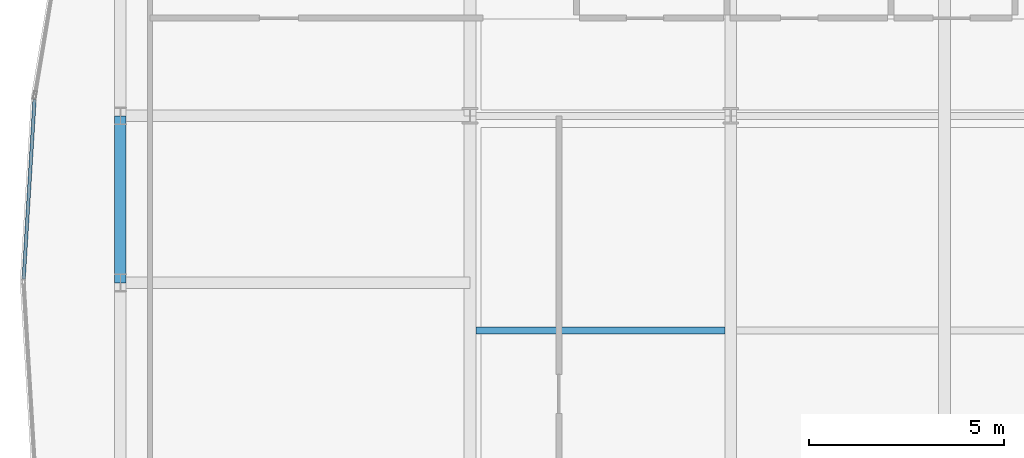
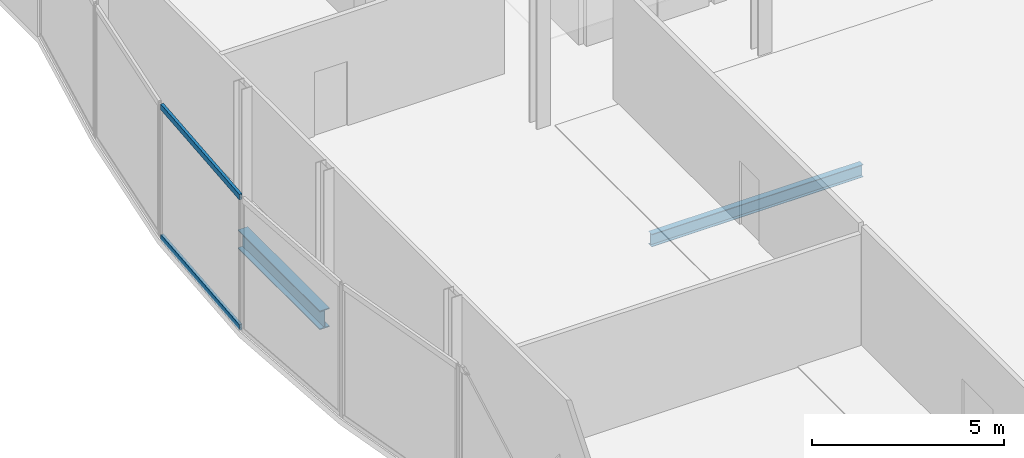
# One storey, part 11 of 28: 2 beams, 2 members, 1 element without a shape of its own.
"""IFC4 building model written with IfcOpenShell, lengths in metres."""

from ifc_helpers import new_model, si_unit, direction, frame, origin, origin_2d, place, context, subcontext, project, spatial, hollow_rectangle, i_section, extrude, material, material_profile, profile_set, type_object, element, aggregate, save


model = new_model("IFC4")

# Units and contexts
model_context = context("Model", 3, precision=1e-05, world=origin(), true_north=direction((0.0, 1.0)))
body_context = subcontext(model_context, "Body", "Model", "MODEL_VIEW")
ifc_project = project(units=[si_unit("LENGTHUNIT", "METRE"), si_unit("AREAUNIT", "SQUARE_METRE"), si_unit("VOLUMEUNIT", "CUBIC_METRE"), si_unit("PLANEANGLEUNIT", "RADIAN"), si_unit("MASSUNIT", "GRAM", prefix="KILO")], contexts=[model_context])

# Site, building, storey
site_placement = place(None, origin())
site = spatial("IfcSite", under=ifc_project, at=site_placement, CompositionType="ELEMENT")
building_placement = place(site_placement, origin())
building = spatial("IfcBuilding", under=site, at=building_placement, Name="Khoronbel Lancet Exchange", CompositionType="ELEMENT")
storey_placement = place(building_placement, frame((0.0, 0.0, 265.39990234375)))
storey = spatial("IfcBuildingStorey", under=building, at=storey_placement, Name="L68", CompositionType="ELEMENT", Elevation=265.39990234375)

# Beams
ifc_material_1 = material(Name="Steel S355", Category="steel")
ifc_material_profile_1 = material_profile(ifc_material_1, i_section(OverallWidth=0.179931640625, OverallDepth=0.39990234375, WebThickness=0.008544921875, FlangeThickness=0.013427734375, at=origin_2d()), Name="IPE 400")
ifc_profile_set_1 = profile_set([ifc_material_profile_1], Name="Steel S355")
beam_type_1 = type_object("IfcBeamType", Name="BM-BJ5", PredefinedType="JOIST", material=ifc_profile_set_1)
beam_1_placement = place(storey_placement, frame((18.375, 30.199951171875, -0.39990234375), z_axis=(1.0, 0.0, 0.0), x_axis=(0.0, 1.0, 0.0)))
element("IfcBeam", 1, at=beam_1_placement, inside=storey, type_object=beam_type_1, Name="Level L68 secondary composite joist J11", PredefinedType="JOIST", context=body_context, shape_type="SweptSolid", body=[
    extrude(i_section(OverallWidth=0.179931640625, OverallDepth=0.39990234375, WebThickness=0.008544921875, FlangeThickness=0.013427734375, at=origin_2d()), origin(), (0.0, 0.0, 1.0), 6.375),
])
ifc_material_profile_2 = material_profile(ifc_material_1, i_section(OverallWidth=0.300048828125, OverallDepth=0.60009765625, WebThickness=0.015380859375, FlangeThickness=0.030029296875, at=origin_2d()), Name="HEB 600")
ifc_profile_set_2 = profile_set([ifc_material_profile_2], Name="Steel S355")
beam_type_2 = type_object("IfcBeamType", Name="BM-BSP2", PredefinedType="SPANDREL", material=ifc_profile_set_2)
beam_2_placement = place(storey_placement, frame((9.27001953125, 35.699951171875, -0.5), z_axis=(0.0, -1.0, 0.0), x_axis=(1.0, 0.0, 0.0)))
element("IfcBeam", 2, at=beam_2_placement, inside=storey, type_object=beam_type_2, Name="Level L68 perimeter spandrel beam SP18", PredefinedType="SPANDREL", context=body_context, shape_type="SweptSolid", body=[
    extrude(i_section(OverallWidth=0.300048828125, OverallDepth=0.60009765625, WebThickness=0.015380859375, FlangeThickness=0.030029296875, at=origin_2d()), origin(), (0.0, 0.0, 1.0), 4.27490234375),
])

# Curtain wall, members
ifc_material_2 = material(Name="Low-E Solar Control Insulating Glass", Category="glass")
curtain_wall_type = type_object("IfcCurtainWallType", Name="CW-4", PredefinedType="NOTDEFINED", material=ifc_material_2)
curtain_wall_placement = place(storey_placement, origin())
curtain_wall = element("IfcCurtainWall", 3, at=curtain_wall_placement, inside=storey, type_object=curtain_wall_type, Name="Unitised curtain wall CW-L68-E07", PredefinedType="NOTDEFINED")
ifc_material_3 = material(Name="Bronze-Anodised Aluminium 6063-T6", Category="aluminium")
ifc_material_profile_3 = material_profile(ifc_material_3, hollow_rectangle(XDim=0.0849609375, YDim=0.179931640625, WallThickness=0.0048828125, at=origin_2d()), Name="ALU TRANSOM 85x180")
ifc_profile_set_3 = profile_set([ifc_material_profile_3], Name="Bronze-Anodised Aluminium 6063-T6")
member_type = type_object("IfcMemberType", Name="MEM-CWT1", PredefinedType="USERDEFINED", material=ifc_profile_set_3)
member_1_placement = place(storey_placement, frame((6.794677734375, 31.52490234375, 0.04248046875), z_axis=(0.060523913208, 0.998166747558, 0.0), x_axis=(-0.998166747558, 0.060523913208, 0.0)))
member_1 = element("IfcMember", 4, at=member_1_placement, type_object=member_type, Name="CW4 transom 1.1", ObjectType="TRANSOM", PredefinedType="USERDEFINED", context=body_context, shape_type="SweptSolid", body=[
    extrude(hollow_rectangle(XDim=0.0849609375, YDim=0.179931640625, WallThickness=0.0048828125, at=origin_2d()), origin(), (0.0, 0.0, 1.0), 4.5986328125),
])
member_2_placement = place(storey_placement, frame((6.794677734375, 31.52490234375, 4.197509765625), z_axis=(0.060523913208, 0.998166747558, 0.0), x_axis=(-0.998166747558, 0.060523913208, 0.0)))
member_2 = element("IfcMember", 5, at=member_2_placement, type_object=member_type, Name="CW4 transom 1.2", ObjectType="TRANSOM", PredefinedType="USERDEFINED", context=body_context, shape_type="SweptSolid", body=[
    extrude(hollow_rectangle(XDim=0.0849609375, YDim=0.179931640625, WallThickness=0.0048828125, at=origin_2d()), origin(), (0.0, 0.0, 1.0), 4.5986328125),
])
aggregate(curtain_wall, [member_1, member_2])

save(model, "model.ifc")
